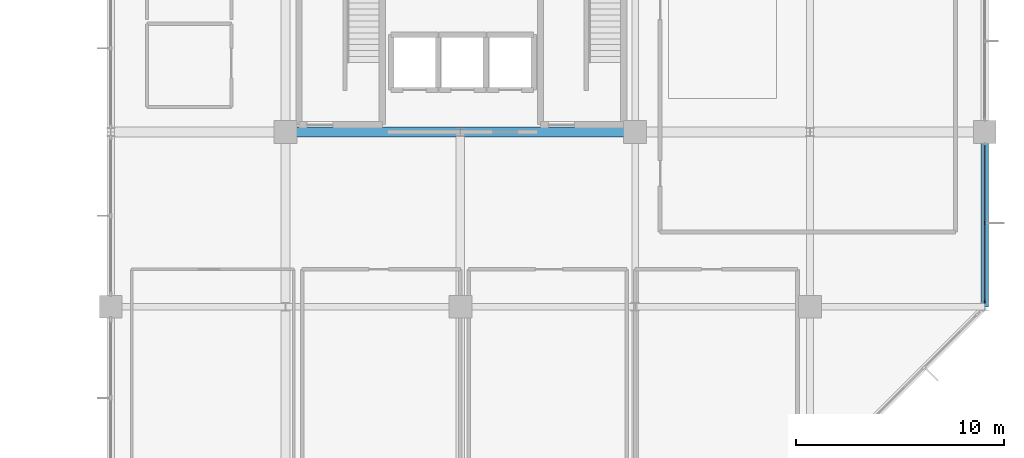
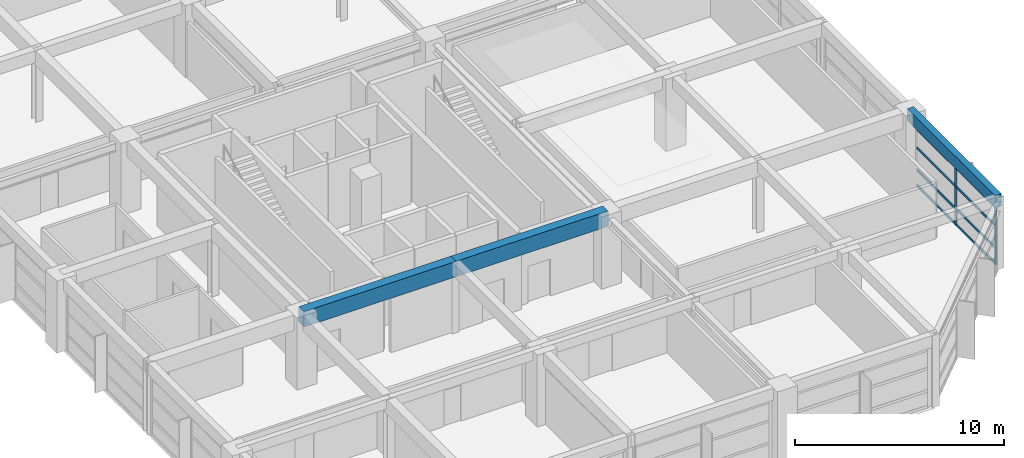
# One storey, part 8 of 19: 10 members, 3 beams, 1 element without a shape of its own.
"""IFC4 building model written with IfcOpenShell, lengths in metres."""

import ifcopenshell
import ifcopenshell.guid

model = None  # the IFC model being written
_history = None  # IfcOwnerHistory: only IFC2X3 demands one
_inside = {}  # id of a spatial element -> (the spatial element, [elements in it])
_under = {}  # id of a project, library or spatial element -> (it, [spatial elements below it])
_declared = {}  # id of a project -> (the project, [libraries it declares])
_typed = {}  # id of a type object -> (the type object, [elements of that type])
_made_of = {}  # id of a material, layer set ... -> (it, [elements and type objects made of it])


def new_model(schema):
    """Start an empty IFC model of exactly this schema.

    Asked for "IFC4X3", IfcOpenShell would pick the latest addendum, in which some entities
    have other attributes; the version numbers below select the first issue.
    IFC2X3 requires an IfcOwnerHistory on every rooted entity: one is made here for all.
    """
    global model, _history
    if schema == "IFC4X3":
        model = ifcopenshell.file(schema_version=(4, 3, 0, 0))
    else:
        model = ifcopenshell.file(schema=schema)
    _inside.clear()
    _under.clear()
    _declared.clear()
    _typed.clear()
    _made_of.clear()
    _history = None
    if model.schema == "IFC2X3":
        org = make("IfcOrganization", Name="unknown")
        user = make(
            "IfcPersonAndOrganization",
            ThePerson=make("IfcPerson", FamilyName="unknown"),
            TheOrganization=org,
        )
        app = make(
            "IfcApplication",
            ApplicationDeveloper=org,
            Version="unknown",
            ApplicationFullName="unknown",
            ApplicationIdentifier="unknown",
        )
        _history = make(
            "IfcOwnerHistory",
            OwningUser=user,
            OwningApplication=app,
            ChangeAction="ADDED",
            CreationDate=0,
        )
    return model


def make(cls, **values):
    """One entity of the class cls with the attributes given. An attribute that is None is left unset."""
    return model.create_entity(
        cls, **{name: value for name, value in values.items() if value is not None}
    )


def rooted(cls, **values):
    """An entity with a GlobalId (a new one), such as an element, a storey or a relation."""
    return make(cls, GlobalId=ifcopenshell.guid.new(), OwnerHistory=_history, **values)


def si_unit(unit_type, name, prefix=None):
    """IfcSIUnit, for example si_unit("LENGTHUNIT", "METRE", prefix="MILLI")."""
    return make("IfcSIUnit", UnitType=unit_type, Prefix=prefix, Name=name)


def assignment(units):
    """IfcUnitAssignment: the units of a project."""
    return None if units is None else make("IfcUnitAssignment", Units=units)


def point(xyz):
    """IfcCartesianPoint."""
    return None if xyz is None else make("IfcCartesianPoint", Coordinates=xyz)


def direction(xyz):
    """IfcDirection."""
    return None if xyz is None else make("IfcDirection", DirectionRatios=xyz)


def frame(location, z_axis=None, x_axis=None):
    """IfcAxis2Placement3D, a coordinate frame: its origin and axes. An axis left out is left unset."""
    return make(
        "IfcAxis2Placement3D",
        Location=point(location),
        Axis=direction(z_axis),
        RefDirection=direction(x_axis),
    )


def frame_2d(location, x_axis=None):
    """IfcAxis2Placement2D, a coordinate frame in the plane: its origin and x axis."""
    return make(
        "IfcAxis2Placement2D", Location=point(location), RefDirection=direction(x_axis)
    )


def origin():
    """The frame at (0, 0, 0) with its axes left unset."""
    return frame((0.0, 0.0, 0.0))


def origin_2d():
    """The frame at (0, 0) in the plane with its x axis left unset."""
    return frame_2d((0.0, 0.0))


def place(relative_to, where):
    """IfcLocalPlacement: puts the frame where relative to a parent placement (None: the world)."""
    return make(
        "IfcLocalPlacement", PlacementRelTo=relative_to, RelativePlacement=where
    )


def context(
    kind, dimensions, precision=None, world=None, true_north=None, identifier=None
):
    """IfcGeometricRepresentationContext, for example the 3D "Model" context."""
    return make(
        "IfcGeometricRepresentationContext",
        ContextIdentifier=identifier,
        ContextType=kind,
        CoordinateSpaceDimension=dimensions,
        Precision=precision,
        WorldCoordinateSystem=world,
        TrueNorth=true_north,
    )


def subcontext(parent, identifier, kind, view, scale=None):
    """IfcGeometricRepresentationSubContext, for example "Body" below "Model"."""
    return make(
        "IfcGeometricRepresentationSubContext",
        ContextIdentifier=identifier,
        ContextType=kind,
        ParentContext=parent,
        TargetScale=scale,
        TargetView=view,
    )


def project(units=None, contexts=None):
    """IfcProject with its units and contexts."""
    return rooted(
        "IfcProject",
        Name="project",
        RepresentationContexts=contexts,
        UnitsInContext=assignment(units),
    )


def spatial(cls, under=None, at=None, **own):
    """A site, building, storey or space (cls), placed at a placement, below another one or the project."""
    s = rooted(cls, ObjectPlacement=at, **own)
    if under is not None:
        _under.setdefault(under.id(), (under, []))[1].append(s)
    return s


def profile(cls, at=None, kind="AREA", **sizes):
    """A parametric profile (cls). Its sizes go by their IFC names, for example OverallWidth=200.0."""
    return make(cls, ProfileType=kind, Position=at, **sizes)


def rectangle(**sizes):
    """IfcRectangleProfileDef."""
    return profile("IfcRectangleProfileDef", **sizes)


def extrude(swept, where, along, depth):
    """IfcExtrudedAreaSolid: the profile swept, set in the frame where, extruded along a direction by depth."""
    return make(
        "IfcExtrudedAreaSolid",
        SweptArea=swept,
        Position=where,
        ExtrudedDirection=direction(along),
        Depth=depth,
    )


def shape(context_of_items, identifier, shape_type, items):
    """IfcShapeRepresentation: the items that make up one representation, for example the "Body"."""
    return make(
        "IfcShapeRepresentation",
        ContextOfItems=context_of_items,
        RepresentationIdentifier=identifier,
        RepresentationType=shape_type,
        Items=items,
    )


def material(Name=None, Category=None):
    """IfcMaterial."""
    return make("IfcMaterial", Name=Name, Category=Category)


def material_profile(
    of_material, cross_section, Name=None, Category=None, Priority=None
):
    """IfcMaterialProfile: a cross section and its material."""
    return make(
        "IfcMaterialProfile",
        Name=Name,
        Material=of_material,
        Profile=cross_section,
        Priority=Priority,
        Category=Category,
    )


def profile_set(profiles, Name=None, composite=None):
    """IfcMaterialProfileSet."""
    return make(
        "IfcMaterialProfileSet",
        Name=Name,
        MaterialProfiles=profiles,
        CompositeProfile=composite,
    )


def made_of(thing, what):
    """Note that an element or type object is made of a material, layer set ...; save() writes the relation."""
    if what is not None:
        _made_of.setdefault(what.id(), (what, []))[1].append(thing)
    return thing


def type_object(cls, material=None, **own):
    """A type object (cls), such as IfcWallType, which elements share."""
    return made_of(rooted(cls, **own), material)


def element(
    cls,
    number,
    at=None,
    inside=None,
    cuts=None,
    type_object=None,
    material=None,
    context=None,
    identifier="Body",
    shape_type=None,
    held_by="IfcProductDefinitionShape",
    body=None,
    shapes=None,
    **own,
):
    """One element of the class cls, such as IfcWall. Its Tag is "e" and its number.

    at: its placement. inside: the storey or other place that contains it. cuts: it is an
    opening in that element (IfcRelVoidsElement). A single representation is given by context,
    identifier, shape_type and body (its items); several are given by shapes. held_by: the class
    of the entity that holds the representations. save() writes the other relations.
    """
    e = rooted(cls, Tag="e%d" % number, ObjectPlacement=at, **own)
    if body is not None:
        shapes = [shape(context, identifier, shape_type, body)]
    if shapes is not None:
        e.Representation = make(held_by, Representations=shapes)
    if inside is not None:
        _inside.setdefault(inside.id(), (inside, []))[1].append(e)
    if cuts is not None:
        rooted(
            "IfcRelVoidsElement", RelatingBuildingElement=cuts, RelatedOpeningElement=e
        )
    if type_object is not None:
        _typed.setdefault(type_object.id(), (type_object, []))[1].append(e)
    return made_of(e, material)


def aggregate(whole, parts):
    """IfcRelAggregates: a whole, such as a stair, and the parts it consists of."""
    return rooted("IfcRelAggregates", RelatingObject=whole, RelatedObjects=parts)


def save(model, path):
    """Write the relations noted so far, then the file.

    IfcRelAggregates (storeys below a building ...), IfcRelContainedInSpatialStructure (elements
    in a storey), IfcRelDefinesByType, IfcRelAssociatesMaterial and IfcRelDeclares: one each for
    every whole, place, type object, material and project.
    """
    for whole, parts in _under.values():
        aggregate(whole, parts)
    for where, things in _inside.values():
        rooted(
            "IfcRelContainedInSpatialStructure",
            RelatedElements=things,
            RelatingStructure=where,
        )
    for kind, things in _typed.values():
        rooted("IfcRelDefinesByType", RelatedObjects=things, RelatingType=kind)
    for what, things in _made_of.values():
        rooted("IfcRelAssociatesMaterial", RelatedObjects=things, RelatingMaterial=what)
    for by, libraries in _declared.values():
        rooted("IfcRelDeclares", RelatingContext=by, RelatedDefinitions=libraries)
    model.write(path)


model = new_model("IFC4")

# Units and contexts
model_context = context("Model", 3, precision=1e-05, world=origin(), true_north=direction((0.0, 1.0)))
body_context = subcontext(model_context, "Body", "Model", "MODEL_VIEW")
ifc_project = project(units=[si_unit("LENGTHUNIT", "METRE"), si_unit("AREAUNIT", "SQUARE_METRE"), si_unit("VOLUMEUNIT", "CUBIC_METRE"), si_unit("PLANEANGLEUNIT", "RADIAN"), si_unit("MASSUNIT", "GRAM", prefix="KILO")], contexts=[model_context])

# Site, building, storey
site_placement = place(None, origin())
site = spatial("IfcSite", under=ifc_project, at=site_placement, CompositionType="ELEMENT")
building_placement = place(site_placement, origin())
building = spatial("IfcBuilding", under=site, at=building_placement, Name="Xuanlan Plaza Opera House", CompositionType="ELEMENT")
storey_placement = place(building_placement, frame((0.0, 0.0, 36.300048828125)))
storey = spatial("IfcBuildingStorey", under=building, at=storey_placement, Name="L08", CompositionType="ELEMENT", Elevation=36.300048828125)

# Curtain wall, members
ifc_material_1 = material(Name="Anodised Aluminium 6063-T6 and Low-E Glass", Category="aluminium")
curtain_wall_type = type_object("IfcCurtainWallType", Name="ENV-CW-CW-04", PredefinedType="USERDEFINED", material=ifc_material_1)
curtain_wall_placement = place(storey_placement, origin())
curtain_wall = element("IfcCurtainWall", 1, at=curtain_wall_placement, inside=storey, type_object=curtain_wall_type, Name="Unitised Curtain Wall L08-006", ObjectType="UNITISED CURTAIN WALL", PredefinedType="USERDEFINED")
ifc_material_2 = material(Name="Anodised Aluminium 6063-T6", Category="aluminium")
ifc_material_profile_1 = material_profile(ifc_material_2, rectangle(XDim=0.06494140625, YDim=0.159912109375, at=origin_2d()), Name="ALU-M 65x160")
ifc_profile_set_1 = profile_set([ifc_material_profile_1], Name="Anodised Aluminium 6063-T6")
member_type_1 = type_object("IfcMemberType", Name="ENV-CWM-01", PredefinedType="MULLION", material=ifc_profile_set_1)
member_1_placement = place(storey_placement, frame((168.0, 42.25244140625, 0.0), z_axis=(0.0, 0.0, 1.0), x_axis=(-1.0, 0.0, 0.0)))
member_1 = element("IfcMember", 2, at=member_1_placement, type_object=member_type_1, Name="CW-04 mullion 1", PredefinedType="MULLION", context=body_context, shape_type="SweptSolid", body=[
    extrude(rectangle(XDim=0.06494140625, YDim=0.159912109375, at=origin_2d()), origin(), (0.0, 0.0, 1.0), 3.3798828125),
])
member_2_placement = place(storey_placement, frame((168.0, 46.02490234375, 0.0), z_axis=(0.0, 0.0, 1.0), x_axis=(-1.0, 0.0, 0.0)))
member_2 = element("IfcMember", 3, at=member_2_placement, type_object=member_type_1, Name="CW-04 mullion 2", PredefinedType="MULLION", context=body_context, shape_type="SweptSolid", body=[
    extrude(rectangle(XDim=0.06494140625, YDim=0.159912109375, at=origin_2d()), origin(), (0.0, 0.0, 1.0), 3.3798828125),
])
ifc_material_profile_2 = material_profile(ifc_material_2, rectangle(XDim=0.070068359375, YDim=0.135009765625, at=origin_2d()), Name="ALU-T 70x135")
ifc_profile_set_2 = profile_set([ifc_material_profile_2], Name="Anodised Aluminium 6063-T6")
member_type_2 = type_object("IfcMemberType", Name="ENV-CWT-02", PredefinedType="USERDEFINED", material=ifc_profile_set_2)
member_3_placement = place(storey_placement, frame((168.0, 42.284912109375, 0.034912109375), z_axis=(0.0, 1.0, 0.0), x_axis=(-1.0, 0.0, 0.0)))
member_3 = element("IfcMember", 4, at=member_3_placement, type_object=member_type_2, Name="CW-04 transom 1.1", ObjectType="TRANSOM", PredefinedType="USERDEFINED", context=body_context, shape_type="SweptSolid", body=[
    extrude(rectangle(XDim=0.070068359375, YDim=0.135009765625, at=origin_2d()), origin(), (0.0, 0.0, 1.0), 3.70751953125),
])
member_4_placement = place(storey_placement, frame((168.0, 42.284912109375, 0.949951171875), z_axis=(0.0, 1.0, 0.0), x_axis=(-1.0, 0.0, 0.0)))
member_4 = element("IfcMember", 5, at=member_4_placement, type_object=member_type_2, Name="CW-04 transom 1.2", ObjectType="TRANSOM", PredefinedType="USERDEFINED", context=body_context, shape_type="SweptSolid", body=[
    extrude(rectangle(XDim=0.070068359375, YDim=0.135009765625, at=origin_2d()), origin(), (0.0, 0.0, 1.0), 3.70751953125),
])
member_5_placement = place(storey_placement, frame((168.0, 42.284912109375, 2.25), z_axis=(0.0, 1.0, 0.0), x_axis=(-1.0, 0.0, 0.0)))
member_5 = element("IfcMember", 6, at=member_5_placement, type_object=member_type_2, Name="CW-04 transom 1.3", ObjectType="TRANSOM", PredefinedType="USERDEFINED", context=body_context, shape_type="SweptSolid", body=[
    extrude(rectangle(XDim=0.070068359375, YDim=0.135009765625, at=origin_2d()), origin(), (0.0, 0.0, 1.0), 3.70751953125),
])
member_6_placement = place(storey_placement, frame((168.0, 42.284912109375, 3.344970703125), z_axis=(0.0, 1.0, 0.0), x_axis=(-1.0, 0.0, 0.0)))
member_6 = element("IfcMember", 7, at=member_6_placement, type_object=member_type_2, Name="CW-04 transom 1.4", ObjectType="TRANSOM", PredefinedType="USERDEFINED", context=body_context, shape_type="SweptSolid", body=[
    extrude(rectangle(XDim=0.070068359375, YDim=0.135009765625, at=origin_2d()), origin(), (0.0, 0.0, 1.0), 3.70751953125),
])
member_7_placement = place(storey_placement, frame((168.0, 46.0576171875, 0.034912109375), z_axis=(0.0, 1.0, 0.0), x_axis=(-1.0, 0.0, 0.0)))
member_7 = element("IfcMember", 8, at=member_7_placement, type_object=member_type_2, Name="CW-04 transom 2.1", ObjectType="TRANSOM", PredefinedType="USERDEFINED", context=body_context, shape_type="SweptSolid", body=[
    extrude(rectangle(XDim=0.070068359375, YDim=0.135009765625, at=origin_2d()), origin(), (0.0, 0.0, 1.0), 3.707275390625),
])
member_8_placement = place(storey_placement, frame((168.0, 46.0576171875, 0.949951171875), z_axis=(0.0, 1.0, 0.0), x_axis=(-1.0, 0.0, 0.0)))
member_8 = element("IfcMember", 9, at=member_8_placement, type_object=member_type_2, Name="CW-04 transom 2.2", ObjectType="TRANSOM", PredefinedType="USERDEFINED", context=body_context, shape_type="SweptSolid", body=[
    extrude(rectangle(XDim=0.070068359375, YDim=0.135009765625, at=origin_2d()), origin(), (0.0, 0.0, 1.0), 3.707275390625),
])
member_9_placement = place(storey_placement, frame((168.0, 46.0576171875, 2.25), z_axis=(0.0, 1.0, 0.0), x_axis=(-1.0, 0.0, 0.0)))
member_9 = element("IfcMember", 10, at=member_9_placement, type_object=member_type_2, Name="CW-04 transom 2.3", ObjectType="TRANSOM", PredefinedType="USERDEFINED", context=body_context, shape_type="SweptSolid", body=[
    extrude(rectangle(XDim=0.070068359375, YDim=0.135009765625, at=origin_2d()), origin(), (0.0, 0.0, 1.0), 3.707275390625),
])
member_10_placement = place(storey_placement, frame((168.0, 46.0576171875, 3.344970703125), z_axis=(0.0, 1.0, 0.0), x_axis=(-1.0, 0.0, 0.0)))
member_10 = element("IfcMember", 11, at=member_10_placement, type_object=member_type_2, Name="CW-04 transom 2.4", ObjectType="TRANSOM", PredefinedType="USERDEFINED", context=body_context, shape_type="SweptSolid", body=[
    extrude(rectangle(XDim=0.070068359375, YDim=0.135009765625, at=origin_2d()), origin(), (0.0, 0.0, 1.0), 3.707275390625),
])
aggregate(curtain_wall, [member_1, member_2, member_3, member_4, member_5, member_6, member_7, member_8, member_9, member_10])

# Beams
ifc_material_3 = material(Name="Concrete C40", Category="concrete")
ifc_material_profile_3 = material_profile(ifc_material_3, rectangle(XDim=0.5, YDim=0.89990234375, at=origin_2d()), Name="RC-BM 500x900")
ifc_profile_set_3 = profile_set([ifc_material_profile_3], Name="Concrete C40")
beam_type_1 = type_object("IfcBeamType", Name="STR-BM-B-03", PredefinedType="BEAM", material=ifc_profile_set_3)
beam_1_placement = place(storey_placement, frame((134.39990234375, 50.39990234375, 3.75), z_axis=(1.0, 0.0, 0.0), x_axis=(0.0, 1.0, 0.0)))
element("IfcBeam", 12, at=beam_1_placement, inside=storey, type_object=beam_type_1, Name="Grid Beam X L08 17-18/G", PredefinedType="BEAM", context=body_context, shape_type="SweptSolid", body=[
    extrude(rectangle(XDim=0.5, YDim=0.89990234375, at=origin_2d()), origin(), (0.0, 0.0, 1.0), 8.400146484375),
])
beam_2_placement = place(storey_placement, frame((142.800048828125, 50.39990234375, 3.75), z_axis=(1.0, 0.0, 0.0), x_axis=(0.0, 1.0, 0.0)))
element("IfcBeam", 13, at=beam_2_placement, inside=storey, type_object=beam_type_1, Name="Grid Beam X L08 18-19/G", PredefinedType="BEAM", context=body_context, shape_type="SweptSolid", body=[
    extrude(rectangle(XDim=0.5, YDim=0.89990234375, at=origin_2d()), origin(), (0.0, 0.0, 1.0), 8.39990234375),
])
ifc_material_profile_4 = material_profile(ifc_material_3, rectangle(XDim=0.35009765625, YDim=0.699951171875, at=origin_2d()), Name="RC-SPD 350x700")
ifc_profile_set_4 = profile_set([ifc_material_profile_4], Name="Concrete C40")
beam_type_2 = type_object("IfcBeamType", Name="STR-BM-SP-02", PredefinedType="SPANDREL", material=ifc_profile_set_4)
beam_3_placement = place(storey_placement, frame((168.0, 42.0, 3.849853515625), z_axis=(0.0, 1.0, 0.0), x_axis=(-1.0, 0.0, 0.0)))
element("IfcBeam", 14, at=beam_3_placement, inside=storey, type_object=beam_type_2, Name="Grid Beam Y L08 21/F-G", PredefinedType="SPANDREL", context=body_context, shape_type="SweptSolid", body=[
    extrude(rectangle(XDim=0.35009765625, YDim=0.699951171875, at=origin_2d()), origin(), (0.0, 0.0, 1.0), 8.39990234375),
])

save(model, "model.ifc")
